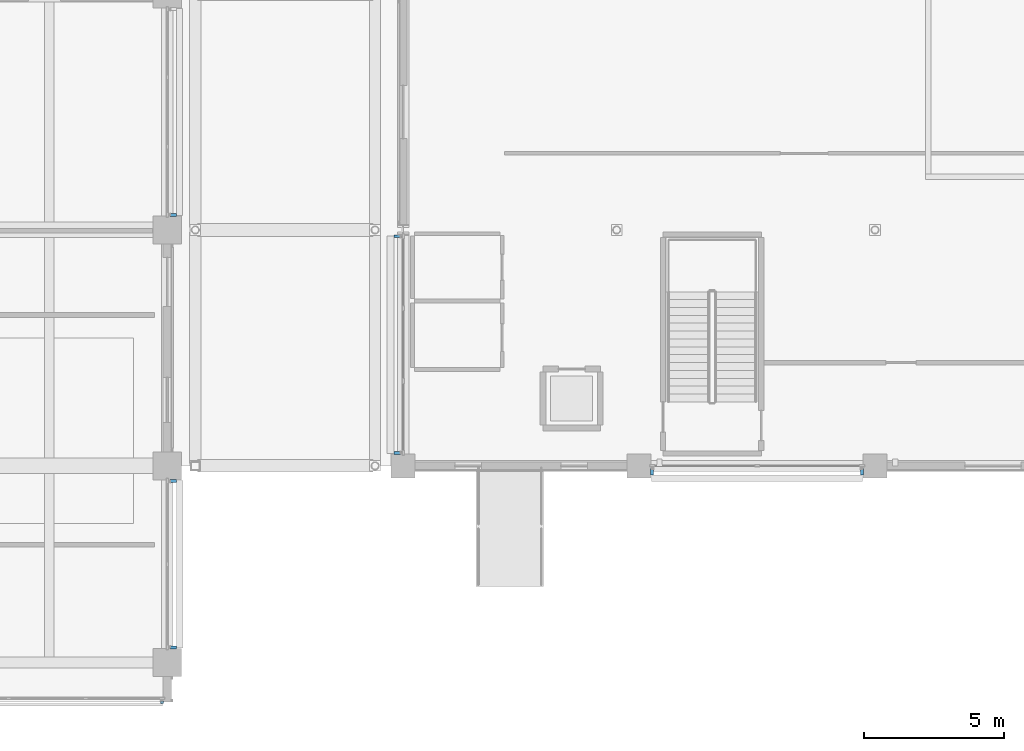
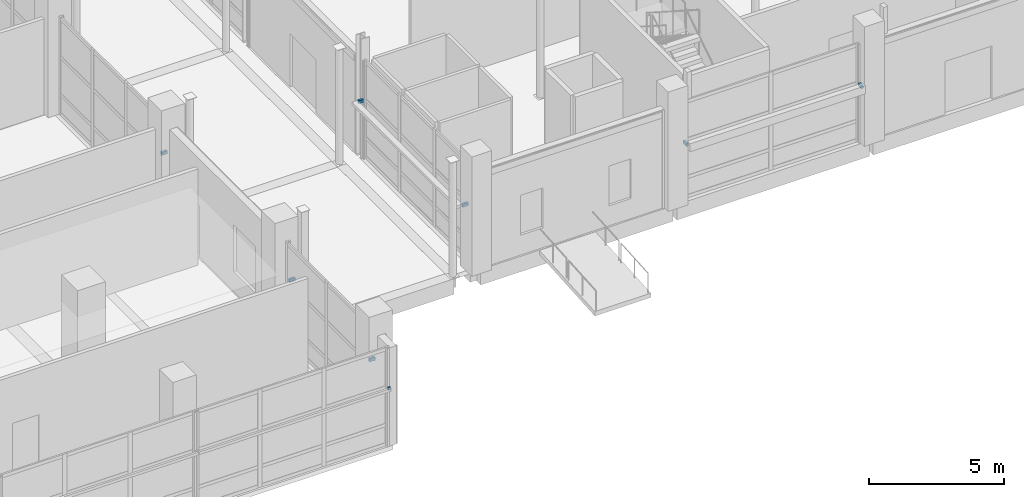
# One storey, part 85 of 140: 8 discrete accessories.
"""IFC4 building model written with IfcOpenShell, lengths in metres."""

from ifc_helpers import new_model, si_unit, direction, frame, origin, origin_2d, place, context, subcontext, project, spatial, rectangle, extrude, material, type_object, element, save


model = new_model("IFC4")

# Units and contexts
model_context = context("Model", 3, precision=1e-05, world=origin(), true_north=direction((0.0, 1.0)))
body_context = subcontext(model_context, "Body", "Model", "MODEL_VIEW")
ifc_project = project(units=[si_unit("LENGTHUNIT", "METRE"), si_unit("AREAUNIT", "SQUARE_METRE"), si_unit("VOLUMEUNIT", "CUBIC_METRE"), si_unit("PLANEANGLEUNIT", "RADIAN"), si_unit("MASSUNIT", "GRAM", prefix="KILO")], contexts=[model_context])

# Site, building, storey
site_placement = place(None, origin())
site = spatial("IfcSite", under=ifc_project, at=site_placement, CompositionType="ELEMENT")
building_placement = place(site_placement, origin())
building = spatial("IfcBuilding", under=site, at=building_placement, Name="Telukmera Botanical Conservatory", CompositionType="ELEMENT")
storey_placement = place(building_placement, origin())
storey = spatial("IfcBuildingStorey", under=building, at=storey_placement, Name="L00", CompositionType="ELEMENT", Elevation=0.0)

# Discrete accessories
ifc_material = material(Name="Steel S355", Category="steel")
discrete_accessory_type = type_object("IfcDiscreteAccessoryType", Name="Structural Steel Facade Outrigger Fin Bracket", PredefinedType="BRACKET", material=ifc_material)
for number, where, z_axis, x_axis, name in (
    (1, (126.4619140625, 17.389892578125, 2.580078125), (0.0, 0.0, 1.0), (1.0, 0.0, 0.0), "Facade Outrigger Bracket V1:L00:S2 A"),
    (2, (133.93798828125, 17.389892578125, 2.580078125), (0.0, 0.0, 1.0), (1.0, 0.0, 0.0), "Facade Outrigger Bracket V1:L00:S2 B"),
    (3, (117.389892578125, 18.06201171875, 2.580078125), (0.0, 0.0, 1.0), (0.0, 1.0, 0.0), "Facade Outrigger Bracket V1:L00:W1 A"),
    (4, (117.389892578125, 25.77880859375, 2.580078125), (0.0, 0.0, 1.0), (0.0, 1.0, 0.0), "Facade Outrigger Bracket V1:L00:W1 B"),
):
    element("IfcDiscreteAccessory", number, at=place(storey_placement, frame(where, z_axis=z_axis, x_axis=x_axis)), inside=storey, type_object=discrete_accessory_type, Name=name, PredefinedType="BRACKET", context=body_context, shape_type="SweptSolid", body=[
        extrude(rectangle(XDim=0.10009765625, YDim=0.239990234375, at=origin_2d()), origin(), (0.0, 0.0, 1.0), 0.139892578125),
    ])
discrete_accessory_placement = place(storey_placement, frame((109.012939453125, 9.18505859375, 2.580078125), z_axis=(0.0, 0.0, 1.0), x_axis=(1.0, 0.0, 0.0)))
element("IfcDiscreteAccessory", 5, at=discrete_accessory_placement, inside=storey, type_object=discrete_accessory_type, Name="Facade Outrigger Bracket V4:L00:S7 B", PredefinedType="BRACKET", context=body_context, shape_type="SweptSolid", body=[
    extrude(rectangle(XDim=0.10009765625, YDim=0.090087890625, at=origin_2d()), origin(), (0.0, 0.0, 1.0), 0.139892578125),
])
for number, where, z_axis, x_axis, name in (
    (6, (109.409912109375, 11.136962890625, 2.580078125), (0.0, 0.0, 1.0), (0.0, 1.0, 0.0), "Facade Outrigger Bracket V4:L00:E1 A"),
    (7, (109.409912109375, 17.06298828125, 2.580078125), (0.0, 0.0, 1.0), (0.0, 1.0, 0.0), "Facade Outrigger Bracket V4:L00:E1 B"),
    (8, (109.409912109375, 26.537109375, 2.580078125), (0.0, 0.0, 1.0), (0.0, 1.0, 0.0), "Facade Outrigger Bracket V4:L00:E3 A"),
):
    element("IfcDiscreteAccessory", number, at=place(storey_placement, frame(where, z_axis=z_axis, x_axis=x_axis)), inside=storey, type_object=discrete_accessory_type, Name=name, PredefinedType="BRACKET", context=body_context, shape_type="SweptSolid", body=[
        extrude(rectangle(XDim=0.10009765625, YDim=0.239990234375, at=origin_2d()), origin(), (0.0, 0.0, 1.0), 0.139892578125),
    ])

save(model, "model.ifc")
